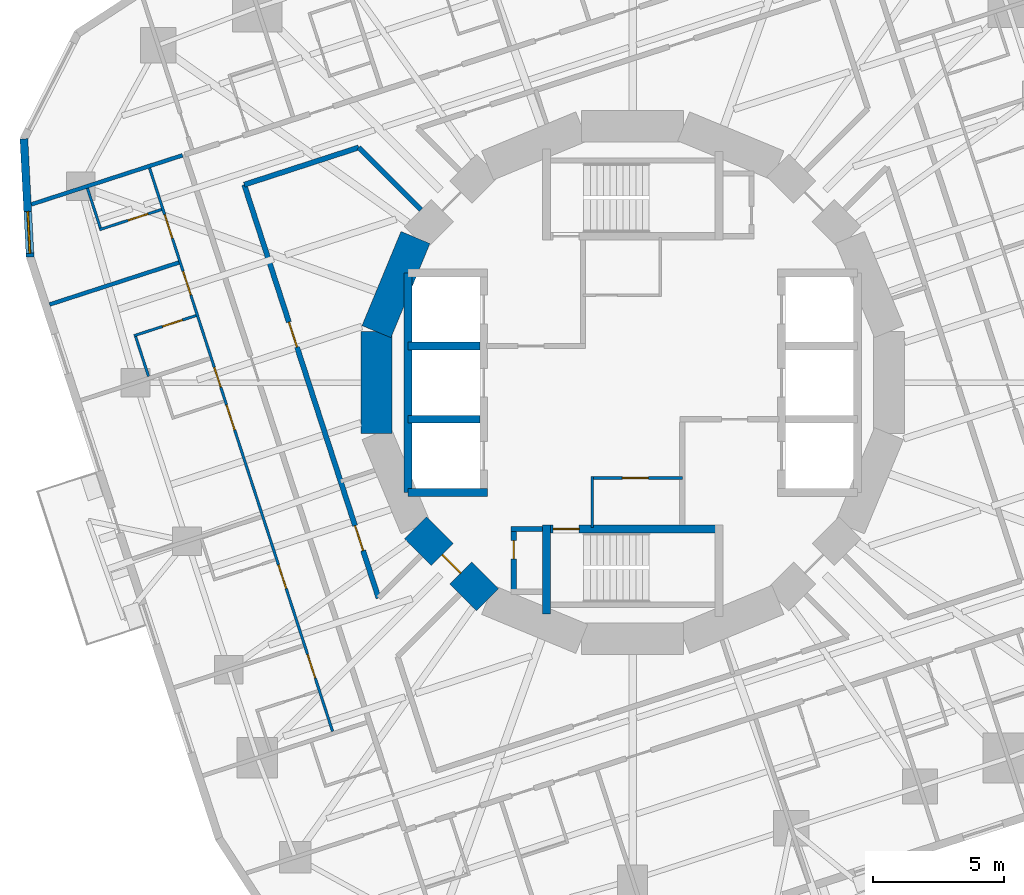
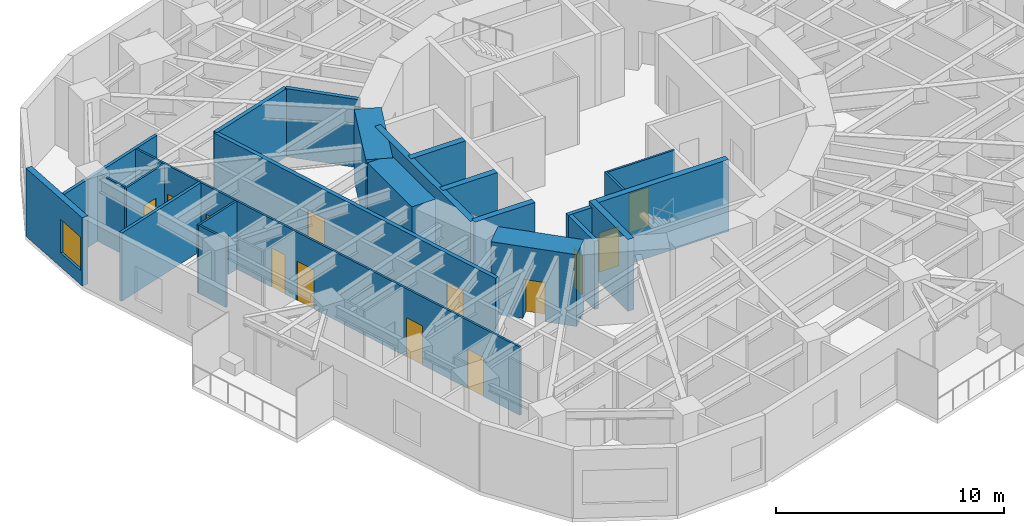
# One storey, part 6 of 12: 24 walls, 14 doors, 1 window, 15 openings.
"""IFC4 building model written with IfcOpenShell, lengths in metres."""

from ifc_helpers import new_model, si_unit, direction, frame, frame_2d, origin, place, context, subcontext, project, spatial, rectangle, extrude, material, layer, layer_set, type_object, element, fill, save


model = new_model("IFC4")

# Units and contexts
model_context = context("Model", 3, precision=1e-05, world=origin(), true_north=direction((0.0, 1.0)))
body_context = subcontext(model_context, "Body", "Model", "MODEL_VIEW")
ifc_project = project(units=[si_unit("LENGTHUNIT", "METRE"), si_unit("AREAUNIT", "SQUARE_METRE"), si_unit("VOLUMEUNIT", "CUBIC_METRE"), si_unit("PLANEANGLEUNIT", "RADIAN"), si_unit("MASSUNIT", "GRAM", prefix="KILO")], contexts=[model_context])

# Site, building, storey
site_placement = place(None, origin())
site = spatial("IfcSite", under=ifc_project, at=site_placement, CompositionType="ELEMENT")
building_placement = place(site_placement, origin())
building = spatial("IfcBuilding", under=site, at=building_placement, Name="Nakasero Lantern House", CompositionType="ELEMENT")
storey_placement = place(building_placement, frame((0.0, 0.0, 168.75)))
storey = spatial("IfcBuildingStorey", under=building, at=storey_placement, Name="L41", CompositionType="ELEMENT", Elevation=168.75)

# Wall, openings, doors
ifc_material_1 = material(Name="Blockwork", Category="masonry")
ifc_layer_1 = layer(ifc_material_1, 0.10009765625)
ifc_layer_set_1 = layer_set([ifc_layer_1], Name="Cluster hall wall 100")
wall_type_1 = type_object("IfcWallType", Name="Cluster hall wall 100", PredefinedType="PARTITIONING", material=ifc_layer_set_1)
wall_1_placement = place(storey_placement, frame((-18.492919921875, 8.21240234375, 0.0), z_axis=(0.0, 0.0, 1.0), x_axis=(0.309014729931, -0.951057252055, 0.0)))
wall_1 = element("IfcWall", 1, at=wall_1_placement, inside=storey, type_object=wall_type_1, Name="Cluster hall wall L41 HW2-0", PredefinedType="PARTITIONING", context=body_context, shape_type="SweptSolid", body=[
    extrude(rectangle(XDim=22.67236328125, YDim=0.10009765625, at=frame_2d((11.336181640625, 0.0))), origin(), (0.0, 0.0, 1.0), 3.64990234375),
])
opening_1_placement = place(wall_1_placement, frame((9.532958984375, 0.0, 0.0)))
opening_1 = element("IfcOpeningElement", 2, at=opening_1_placement, cuts=wall_1, Name="Opening D03", PredefinedType="OPENING", context=body_context, shape_type="SweptSolid", body=[
    extrude(rectangle(XDim=1.0, YDim=2.10009765625, at=frame_2d((0.5, 1.050048828125))), frame((0.0, 0.070068359375, 0.0), z_axis=(0.0, -1.0, 0.0), x_axis=(1.0, 0.0, 0.0)), (0.0, 0.0, 1.0), 0.14013671875),
])
opening_2_placement = place(wall_1_placement, frame((8.01904296875, 0.0, 0.0)))
opening_2 = element("IfcOpeningElement", 3, at=opening_2_placement, cuts=wall_1, Name="Opening D02", PredefinedType="OPENING", context=body_context, shape_type="SweptSolid", body=[
    extrude(rectangle(XDim=0.800048828125, YDim=2.10009765625, at=frame_2d((0.39990234375, 1.050048828125))), frame((0.0, 0.070068359375, 0.0), z_axis=(0.0, -1.0, 0.0), x_axis=(1.0, 0.0, 0.0)), (0.0, 0.0, 1.0), 0.14013671875),
])
opening_3_placement = place(wall_1_placement, frame((1.875, 0.0, 0.0)))
opening_3 = element("IfcOpeningElement", 4, at=opening_3_placement, cuts=wall_1, Name="Opening D01", PredefinedType="OPENING", context=body_context, shape_type="SweptSolid", body=[
    extrude(rectangle(XDim=0.949951171875, YDim=2.10009765625, at=frame_2d((0.47509765625, 1.050048828125))), frame((0.0, 0.070068359375, 0.0), z_axis=(0.0, -1.0, 0.0), x_axis=(1.0, 0.0, 0.0)), (0.0, 0.0, 1.0), 0.14013671875),
])
opening_4_placement = place(wall_1_placement, frame((4.159423828125, 0.0, 0.0)))
opening_4 = element("IfcOpeningElement", 5, at=opening_4_placement, cuts=wall_1, Name="Opening D01", PredefinedType="OPENING", context=body_context, shape_type="SweptSolid", body=[
    extrude(rectangle(XDim=0.949951171875, YDim=2.10009765625, at=frame_2d((0.47509765625, 1.050048828125))), frame((0.0, 0.070068359375, 0.0), z_axis=(0.0, -1.0, 0.0), x_axis=(1.0, 0.0, 0.0)), (0.0, 0.0, 1.0), 0.14013671875),
])
opening_5_placement = place(wall_1_placement, frame((15.97216796875, 0.0, 0.0)))
opening_5 = element("IfcOpeningElement", 6, at=opening_5_placement, cuts=wall_1, Name="Opening D01", PredefinedType="OPENING", context=body_context, shape_type="SweptSolid", body=[
    extrude(rectangle(XDim=0.949951171875, YDim=2.10009765625, at=frame_2d((0.47509765625, 1.050048828125))), frame((0.0, 0.070068359375, 0.0), z_axis=(0.0, -1.0, 0.0), x_axis=(1.0, 0.0, 0.0)), (0.0, 0.0, 1.0), 0.14013671875),
])
opening_6_placement = place(wall_1_placement, frame((19.578125, 0.0, 0.0)))
opening_6 = element("IfcOpeningElement", 7, at=opening_6_placement, cuts=wall_1, Name="Opening D01", PredefinedType="OPENING", context=body_context, shape_type="SweptSolid", body=[
    extrude(rectangle(XDim=0.949951171875, YDim=2.10009765625, at=frame_2d((0.47509765625, 1.050048828125))), frame((0.0, 0.070068359375, 0.0), z_axis=(0.0, -1.0, 0.0), x_axis=(1.0, 0.0, 0.0)), (0.0, 0.0, 1.0), 0.14013671875),
])
ifc_material_2 = material(Name="Timber C24", Category="wood")
door_type_1 = type_object("IfcDoorType", Name="Bedroom door FD30S 950", OperationType="SINGLE_SWING_LEFT", PredefinedType="DOOR", material=ifc_material_2)
door_1_placement = place(opening_3_placement, origin())
door_1 = element("IfcDoor", 8, at=door_1_placement, inside=storey, type_object=door_type_1, Name="Door L41 D2-00", OperationType="SINGLE_SWING_LEFT", OverallHeight=2.10009765625, OverallWidth=0.949951171875, PredefinedType="DOOR", context=body_context, shape_type="SweptSolid", body=[
    extrude(rectangle(XDim=0.949951171875, YDim=2.10009765625, at=frame_2d((0.47509765625, 1.050048828125))), frame((0.0, 0.02490234375, 0.0), z_axis=(0.0, -1.0, 0.0), x_axis=(1.0, 0.0, 0.0)), (0.0, 0.0, 1.0), 0.050048828125),
])
fill(opening_3, door_1)
door_2_placement = place(opening_4_placement, origin())
door_2 = element("IfcDoor", 9, at=door_2_placement, inside=storey, type_object=door_type_1, Name="Door L41 D2-01", OperationType="SINGLE_SWING_LEFT", OverallHeight=2.10009765625, OverallWidth=0.949951171875, PredefinedType="DOOR", context=body_context, shape_type="SweptSolid", body=[
    extrude(rectangle(XDim=0.949951171875, YDim=2.10009765625, at=frame_2d((0.47509765625, 1.050048828125))), frame((0.0, 0.02490234375, 0.0), z_axis=(0.0, -1.0, 0.0), x_axis=(1.0, 0.0, 0.0)), (0.0, 0.0, 1.0), 0.050048828125),
])
fill(opening_4, door_2)
door_3_placement = place(opening_5_placement, origin())
door_3 = element("IfcDoor", 10, at=door_3_placement, inside=storey, type_object=door_type_1, Name="Door L41 D2-04", OperationType="SINGLE_SWING_RIGHT", OverallHeight=2.10009765625, OverallWidth=0.949951171875, PredefinedType="DOOR", context=body_context, shape_type="SweptSolid", body=[
    extrude(rectangle(XDim=0.949951171875, YDim=2.10009765625, at=frame_2d((0.47509765625, 1.050048828125))), frame((0.0, 0.02490234375, 0.0), z_axis=(0.0, -1.0, 0.0), x_axis=(1.0, 0.0, 0.0)), (0.0, 0.0, 1.0), 0.050048828125),
])
fill(opening_5, door_3)
door_4_placement = place(opening_6_placement, origin())
door_4 = element("IfcDoor", 11, at=door_4_placement, inside=storey, type_object=door_type_1, Name="Door L41 D2-05", OperationType="SINGLE_SWING_RIGHT", OverallHeight=2.10009765625, OverallWidth=0.949951171875, PredefinedType="DOOR", context=body_context, shape_type="SweptSolid", body=[
    extrude(rectangle(XDim=0.949951171875, YDim=2.10009765625, at=frame_2d((0.47509765625, 1.050048828125))), frame((0.0, 0.02490234375, 0.0), z_axis=(0.0, -1.0, 0.0), x_axis=(1.0, 0.0, 0.0)), (0.0, 0.0, 1.0), 0.050048828125),
])
fill(opening_6, door_4)
ifc_material_3 = material(Name="Timber C24", Category="wood")
door_type_2 = type_object("IfcDoorType", Name="En-suite door 800", OperationType="SINGLE_SWING_RIGHT", PredefinedType="DOOR", material=ifc_material_3)
door_5_placement = place(opening_2_placement, origin())
door_5 = element("IfcDoor", 12, at=door_5_placement, inside=storey, type_object=door_type_2, Name="Door L41 DSH2-0", OperationType="SINGLE_SWING_LEFT", OverallHeight=2.10009765625, OverallWidth=0.800048828125, PredefinedType="DOOR", context=body_context, shape_type="SweptSolid", body=[
    extrude(rectangle(XDim=0.800048828125, YDim=2.10009765625, at=frame_2d((0.39990234375, 1.050048828125))), frame((0.0, 0.02490234375, 0.0), z_axis=(0.0, -1.0, 0.0), x_axis=(1.0, 0.0, 0.0)), (0.0, 0.0, 1.0), 0.050048828125),
])
fill(opening_2, door_5)
ifc_material_4 = material(Name="Timber C24", Category="wood")
door_type_3 = type_object("IfcDoorType", Name="Lounge door FD30S 1000", OperationType="SINGLE_SWING_LEFT", PredefinedType="DOOR", material=ifc_material_4)
door_6_placement = place(opening_1_placement, origin())
door_6 = element("IfcDoor", 13, at=door_6_placement, inside=storey, type_object=door_type_3, Name="Door L41 DH2-0", OperationType="SINGLE_SWING_LEFT", OverallHeight=2.10009765625, OverallWidth=1.0, PredefinedType="DOOR", context=body_context, shape_type="SweptSolid", body=[
    extrude(rectangle(XDim=1.0, YDim=2.10009765625, at=frame_2d((0.5, 1.050048828125))), frame((0.0, 0.02490234375, 0.0), z_axis=(0.0, -1.0, 0.0), x_axis=(1.0, 0.0, 0.0)), (0.0, 0.0, 1.0), 0.050048828125),
])
fill(opening_1, door_6)

# Walls
ifc_material_5 = material(Name="Concrete C50/60", Category="concrete")
ifc_layer_2 = layer(ifc_material_5, 0.300048828125)
ifc_layer_set_2 = layer_set([ifc_layer_2], Name="Core inner wall 300")
wall_type_2 = type_object("IfcWallType", Name="Core inner wall 300", PredefinedType="SHEAR", material=ifc_layer_set_2)
wall_2_placement = place(storey_placement, frame((-8.60009765625, -4.199951171875, 0.0), z_axis=(0.0, 0.0, 1.0), x_axis=(1.0, 0.0, 0.0)))
element("IfcWall", 14, at=wall_2_placement, inside=storey, type_object=wall_type_2, Name="Core inner wall L41 LWS", PredefinedType="SHEAR", context=body_context, shape_type="SweptSolid", body=[
    extrude(rectangle(XDim=3.050048828125, YDim=0.300048828125, at=frame_2d((1.52490234375, 0.0))), origin(), (0.0, 0.0, 1.0), 3.85009765625),
])
wall_3_placement = place(storey_placement, frame((-8.60009765625, -4.199951171875, 0.0), z_axis=(0.0, 0.0, 1.0), x_axis=(0.0, 1.0, 0.0)))
element("IfcWall", 15, at=wall_3_placement, inside=storey, type_object=wall_type_2, Name="Core inner wall L41 LWB", PredefinedType="SHEAR", context=body_context, shape_type="SweptSolid", body=[
    extrude(rectangle(XDim=8.39990234375, YDim=0.300048828125, at=frame_2d((4.199951171875, 0.0))), origin(), (0.0, 0.0, 1.0), 3.85009765625),
])
for number, where, z_axis, x_axis, name in (
    (16, (-8.60009765625, -1.39990234375, 0.0), (0.0, 0.0, 1.0), (1.0, 0.0, 0.0), "Core inner wall L41 LW1"),
    (17, (-8.60009765625, 1.39990234375, 0.0), (0.0, 0.0, 1.0), (1.0, 0.0, 0.0), "Core inner wall L41 LW2"),
):
    element("IfcWall", number, at=place(storey_placement, frame(where, z_axis=z_axis, x_axis=x_axis)), inside=storey, type_object=wall_type_2, Name=name, PredefinedType="SHEAR", context=body_context, shape_type="SweptSolid", body=[
        extrude(rectangle(XDim=2.75, YDim=0.300048828125, at=frame_2d((1.375, 0.0))), origin(), (0.0, 0.0, 1.0), 3.85009765625),
    ])

# Wall, opening, door
wall_4_placement = place(storey_placement, frame((-3.449951171875, -5.60009765625, 0.0), z_axis=(0.0, 0.0, 1.0), x_axis=(1.0, 0.0, 0.0)))
wall_4 = element("IfcWall", 18, at=wall_4_placement, inside=storey, type_object=wall_type_2, Name="Core inner wall L41 SS", PredefinedType="SHEAR", context=body_context, shape_type="SweptSolid", body=[
    extrude(rectangle(XDim=6.89990234375, YDim=0.300048828125, at=frame_2d((3.449951171875, 0.0))), origin(), (0.0, 0.0, 1.0), 3.85009765625),
])
opening_7_placement = place(wall_4_placement, frame((0.39990234375, 0.0, 0.0)))
opening_7 = element("IfcOpeningElement", 19, at=opening_7_placement, cuts=wall_4, Name="Opening D05", PredefinedType="OPENING", context=body_context, shape_type="SweptSolid", body=[
    extrude(rectangle(XDim=1.0, YDim=2.10009765625, at=frame_2d((0.5, 1.050048828125))), frame((0.0, 0.169921875, 0.0), z_axis=(0.0, -1.0, 0.0), x_axis=(1.0, 0.0, 0.0)), (0.0, 0.0, 1.0), 0.340087890625),
])
ifc_material_6 = material(Name="Timber C24", Category="wood")
door_type_4 = type_object("IfcDoorType", Name="Core door FD60S 1000", OperationType="SINGLE_SWING_LEFT", PredefinedType="DOOR", material=ifc_material_6)
door_7_placement = place(opening_7_placement, origin())
door_7 = element("IfcDoor", 20, at=door_7_placement, inside=storey, type_object=door_type_4, Name="Door L41 D-ST2", OperationType="SINGLE_SWING_LEFT", OverallHeight=2.10009765625, OverallWidth=1.0, PredefinedType="DOOR", context=body_context, shape_type="SweptSolid", body=[
    extrude(rectangle(XDim=1.0, YDim=2.10009765625, at=frame_2d((0.5, 1.050048828125))), frame((0.0, 0.02490234375, 0.0), z_axis=(0.0, -1.0, 0.0), x_axis=(1.0, 0.0, 0.0)), (0.0, 0.0, 1.0), 0.050048828125),
])
fill(opening_7, door_7)

# Wall
wall_5_placement = place(storey_placement, frame((-3.300048828125, -5.449951171875, 0.0), z_axis=(0.0, 0.0, 1.0), x_axis=(0.0, -1.0, 0.0)))
element("IfcWall", 21, at=wall_5_placement, inside=storey, type_object=wall_type_2, Name="Core inner wall L41 SSW", PredefinedType="SHEAR", context=body_context, shape_type="SweptSolid", body=[
    extrude(rectangle(XDim=3.400146484375, YDim=0.300048828125, at=frame_2d((1.7001953125, 0.0))), origin(), (0.0, 0.0, 1.0), 3.85009765625),
])

# Wall, opening, door
ifc_material_7 = material(Name="Blockwork", Category="masonry")
ifc_layer_3 = layer(ifc_material_7, 0.10009765625)
ifc_layer_set_3 = layer_set([ifc_layer_3], Name="Core room wall 100")
wall_type_3 = type_object("IfcWallType", Name="Core room wall 100", PredefinedType="PARTITIONING", material=ifc_layer_set_3)
wall_6_placement = place(storey_placement, frame((-1.60009765625, -3.64990234375, 0.0), z_axis=(0.0, 0.0, 1.0), x_axis=(1.0, 0.0, 0.0)))
wall_6 = element("IfcWall", 22, at=wall_6_placement, inside=storey, type_object=wall_type_3, Name="Core room wall L41 CR-SWN", PredefinedType="PARTITIONING", context=body_context, shape_type="SweptSolid", body=[
    extrude(rectangle(XDim=3.5, YDim=0.10009765625, at=frame_2d((1.75, 0.0))), origin(), (0.0, 0.0, 1.0), 3.64990234375),
])
opening_8_placement = place(wall_6_placement, frame((1.199951171875, 0.0, 0.0)))
opening_8 = element("IfcOpeningElement", 23, at=opening_8_placement, cuts=wall_6, Name="Opening D07", PredefinedType="OPENING", context=body_context, shape_type="SweptSolid", body=[
    extrude(rectangle(XDim=1.0, YDim=2.10009765625, at=frame_2d((0.5, 1.050048828125))), frame((0.0, 0.070068359375, 0.0), z_axis=(0.0, -1.0, 0.0), x_axis=(1.0, 0.0, 0.0)), (0.0, 0.0, 1.0), 0.14013671875),
])
ifc_material_8 = material(Name="Timber C24", Category="wood")
door_type_5 = type_object("IfcDoorType", Name="Room door FD30S 1000", OperationType="SINGLE_SWING_LEFT", PredefinedType="DOOR", material=ifc_material_8)
door_8_placement = place(opening_8_placement, origin())
door_8 = element("IfcDoor", 24, at=door_8_placement, inside=storey, type_object=door_type_5, Name="Door L41 D-CR-SW", OperationType="SINGLE_SWING_LEFT", OverallHeight=2.10009765625, OverallWidth=1.0, PredefinedType="DOOR", context=body_context, shape_type="SweptSolid", body=[
    extrude(rectangle(XDim=1.0, YDim=2.10009765625, at=frame_2d((0.5, 1.050048828125))), frame((0.0, 0.02490234375, 0.0), z_axis=(0.0, -1.0, 0.0), x_axis=(1.0, 0.0, 0.0)), (0.0, 0.0, 1.0), 0.050048828125),
])
fill(opening_8, door_8)

# Walls
wall_7_placement = place(storey_placement, frame((-1.550048828125, -5.550048828125, 0.0), z_axis=(0.0, 0.0, 1.0), x_axis=(0.0, 1.0, 0.0)))
element("IfcWall", 25, at=wall_7_placement, inside=storey, type_object=wall_type_3, Name="Core room wall L41 CR-SWW", PredefinedType="PARTITIONING", context=body_context, shape_type="SweptSolid", body=[
    extrude(rectangle(XDim=1.949951171875, YDim=0.10009765625, at=frame_2d((0.97509765625, 0.0))), origin(), (0.0, 0.0, 1.0), 3.64990234375),
])
ifc_material_9 = material(Name="Concrete C50/60", Category="concrete")
ifc_layer_4 = layer(ifc_material_9, 1.199951171875)
ifc_layer_set_4 = layer_set([ifc_layer_4], Name="Core wall 1200")
wall_type_4 = type_object("IfcWallType", Name="Core wall 1200", PredefinedType="SHEAR", material=ifc_layer_set_4)
for number, where, z_axis, x_axis, name in (
    (26, (-8.314697265625, 5.5556640625, 0.0), (0.0, 0.0, 1.0), (-0.382690736062, -0.923876507187, 0.0), "Core wall L41 facet 7"),
    (27, (-9.807861328125, 1.950927734375, 0.0), (0.0, 0.0, 1.0), (0.0, -1.0, 0.0), "Core wall L41 facet 8"),
):
    element("IfcWall", number, at=place(storey_placement, frame(where, z_axis=z_axis, x_axis=x_axis)), inside=storey, type_object=wall_type_4, Name=name, PredefinedType="SHEAR", context=body_context, shape_type="SweptSolid", body=[
        extrude(rectangle(XDim=3.90185546875, YDim=1.199951171875, at=frame_2d((1.950927734375, 0.0))), origin(), (0.0, 0.0, 1.0), 3.85009765625),
    ])

# Wall, opening, door
wall_8_placement = place(storey_placement, frame((-8.314697265625, -5.5556640625, 0.0), z_axis=(0.0, 0.0, 1.0), x_axis=(0.707106781187, -0.707106781187, 0.0)))
wall_8 = element("IfcWall", 28, at=wall_8_placement, inside=storey, type_object=wall_type_4, Name="Core wall L41 facet 10", PredefinedType="SHEAR", context=body_context, shape_type="SweptSolid", body=[
    extrude(rectangle(XDim=3.90185546875, YDim=1.199951171875, at=frame_2d((1.950927734375, 0.0))), origin(), (0.0, 0.0, 1.0), 3.85009765625),
])
opening_9_placement = place(wall_8_placement, frame((1.450927734375, 0.0, 0.0)))
opening_9 = element("IfcOpeningElement", 29, at=opening_9_placement, cuts=wall_8, Name="Opening D05", PredefinedType="OPENING", context=body_context, shape_type="SweptSolid", body=[
    extrude(rectangle(XDim=1.0, YDim=2.10009765625, at=frame_2d((0.5, 1.050048828125))), frame((0.0, 0.619873046875, 0.0), z_axis=(0.0, -1.0, 0.0), x_axis=(1.0, 0.0, 0.0)), (0.0, 0.0, 1.0), 1.239990234375),
])
door_9_placement = place(opening_9_placement, origin())
door_9 = element("IfcDoor", 30, at=door_9_placement, inside=storey, type_object=door_type_4, Name="Door L41 D-CORE10", OperationType="SINGLE_SWING_LEFT", OverallHeight=2.10009765625, OverallWidth=1.0, PredefinedType="DOOR", context=body_context, shape_type="SweptSolid", body=[
    extrude(rectangle(XDim=1.0, YDim=2.10009765625, at=frame_2d((0.5, 1.050048828125))), frame((0.0, 0.02490234375, 0.0), z_axis=(0.0, -1.0, 0.0), x_axis=(1.0, 0.0, 0.0)), (0.0, 0.0, 1.0), 0.050048828125),
])
fill(opening_9, door_9)

# Wall
ifc_material_10 = material(Name="Blockwork", Category="masonry")
ifc_layer_5 = layer(ifc_material_10, 0.199951171875)
ifc_layer_set_5 = layer_set([ifc_layer_5], Name="Corridor wall 200")
wall_type_5 = type_object("IfcWallType", Name="Corridor wall 200", PredefinedType="PARTITIONING", material=ifc_layer_set_5)
wall_9_placement = place(storey_placement, frame((-10.4853515625, 9.00048828125, 0.0), z_axis=(0.0, 0.0, 1.0), x_axis=(-0.951055475561, -0.309020197406, 0.0)))
element("IfcWall", 31, at=wall_9_placement, inside=storey, type_object=wall_type_5, Name="Corridor wall L41 IW1-1", PredefinedType="PARTITIONING", context=body_context, shape_type="SweptSolid", body=[
    extrude(rectangle(XDim=4.609130859375, YDim=0.199951171875, at=frame_2d((2.3046875, 0.0))), origin(), (0.0, 0.0, 1.0), 3.64990234375),
])

# Wall, openings, doors
wall_10_placement = place(storey_placement, frame((-14.868896484375, 7.576171875, 0.0), z_axis=(0.0, 0.0, 1.0), x_axis=(0.309015049795, -0.951057148125, 0.0)))
wall_10 = element("IfcWall", 32, at=wall_10_placement, inside=storey, type_object=wall_type_5, Name="Corridor wall L41 IW2-0", PredefinedType="PARTITIONING", context=body_context, shape_type="SweptSolid", body=[
    extrude(rectangle(XDim=16.634033203125, YDim=0.199951171875, at=frame_2d((8.31689453125, 0.0))), origin(), (0.0, 0.0, 1.0), 3.64990234375),
])
opening_10_placement = place(wall_10_placement, frame((13.724365234375, 0.0, 0.0)))
opening_10 = element("IfcOpeningElement", 33, at=opening_10_placement, cuts=wall_10, Name="Opening D07", PredefinedType="OPENING", context=body_context, shape_type="SweptSolid", body=[
    extrude(rectangle(XDim=1.0, YDim=2.10009765625, at=frame_2d((0.5, 1.050048828125))), frame((0.0, 0.119873046875, 0.0), z_axis=(0.0, -1.0, 0.0), x_axis=(1.0, 0.0, 0.0)), (0.0, 0.0, 1.0), 0.239990234375),
])
opening_11_placement = place(wall_10_placement, frame((5.532470703125, 0.0, 0.0)))
opening_11 = element("IfcOpeningElement", 34, at=opening_11_placement, cuts=wall_10, Name="Opening D07", PredefinedType="OPENING", context=body_context, shape_type="SweptSolid", body=[
    extrude(rectangle(XDim=1.0, YDim=2.10009765625, at=frame_2d((0.5, 1.050048828125))), frame((0.0, 0.119873046875, 0.0), z_axis=(0.0, -1.0, 0.0), x_axis=(1.0, 0.0, 0.0)), (0.0, 0.0, 1.0), 0.239990234375),
])
door_10_placement = place(opening_10_placement, origin())
door_10 = element("IfcDoor", 35, at=door_10_placement, inside=storey, type_object=door_type_5, Name="Door L41 DI1", OperationType="SINGLE_SWING_RIGHT", OverallHeight=2.10009765625, OverallWidth=1.0, PredefinedType="DOOR", context=body_context, shape_type="SweptSolid", body=[
    extrude(rectangle(XDim=1.0, YDim=2.10009765625, at=frame_2d((0.5, 1.050048828125))), frame((0.0, 0.02490234375, 0.0), z_axis=(0.0, -1.0, 0.0), x_axis=(1.0, 0.0, 0.0)), (0.0, 0.0, 1.0), 0.050048828125),
])
fill(opening_10, door_10)
door_11_placement = place(opening_11_placement, origin())
door_11 = element("IfcDoor", 36, at=door_11_placement, inside=storey, type_object=door_type_5, Name="Door L41 DI7", OperationType="SINGLE_SWING_LEFT", OverallHeight=2.10009765625, OverallWidth=1.0, PredefinedType="DOOR", context=body_context, shape_type="SweptSolid", body=[
    extrude(rectangle(XDim=1.0, YDim=2.10009765625, at=frame_2d((0.5, 1.050048828125))), frame((0.0, 0.02490234375, 0.0), z_axis=(0.0, -1.0, 0.0), x_axis=(1.0, 0.0, 0.0)), (0.0, 0.0, 1.0), 0.050048828125),
])
fill(opening_11, door_11)

# Wall
wall_11_placement = place(storey_placement, frame((-8.101806640625, 6.616943359375, 0.0), z_axis=(0.0, 0.0, 1.0), x_axis=(-0.707106781187, 0.707106781187, 0.0)))
element("IfcWall", 37, at=wall_11_placement, inside=storey, type_object=wall_type_5, Name="Corridor wall L41 PS06a", PredefinedType="PARTITIONING", context=body_context, shape_type="SweptSolid", body=[
    extrude(rectangle(XDim=3.370849609375, YDim=0.199951171875, at=frame_2d((1.685546875, 0.0))), origin(), (0.0, 0.0, 1.0), 3.64990234375),
])

# Wall, opening, door
ifc_material_11 = material(Name="Blockwork", Category="masonry")
ifc_layer_6 = layer(ifc_material_11, 0.10009765625)
ifc_layer_set_6 = layer_set([ifc_layer_6], Name="En-suite wall 100")
wall_type_6 = type_object("IfcWallType", Name="En-suite wall 100", PredefinedType="PARTITIONING", material=ifc_layer_set_6)
wall_12_placement = place(storey_placement, frame((-18.030517578125, 6.627685546875, 0.0), z_axis=(0.0, 0.0, 1.0), x_axis=(-0.951039092003, -0.309070615688, 0.0)))
wall_12 = element("IfcWall", 38, at=wall_12_placement, inside=storey, type_object=wall_type_6, Name="En-suite wall L41 ES2-00", PredefinedType="PARTITIONING", context=body_context, shape_type="SweptSolid", body=[
    extrude(rectangle(XDim=2.5, YDim=0.10009765625, at=frame_2d((1.25, 0.0))), origin(), (0.0, 0.0, 1.0), 3.64990234375),
])
opening_12_placement = place(wall_12_placement, frame((0.550048828125, 0.0, 0.0)))
opening_12 = element("IfcOpeningElement", 39, at=opening_12_placement, cuts=wall_12, Name="Opening D02", PredefinedType="OPENING", context=body_context, shape_type="SweptSolid", body=[
    extrude(rectangle(XDim=0.800048828125, YDim=2.10009765625, at=frame_2d((0.39990234375, 1.050048828125))), frame((0.0, 0.070068359375, 0.0), z_axis=(0.0, -1.0, 0.0), x_axis=(1.0, 0.0, 0.0)), (0.0, 0.0, 1.0), 0.14013671875),
])
door_12_placement = place(opening_12_placement, origin())
door_12 = element("IfcDoor", 40, at=door_12_placement, inside=storey, type_object=door_type_2, Name="Door L41 DE2-00", OperationType="SINGLE_SWING_LEFT", OverallHeight=2.10009765625, OverallWidth=0.800048828125, PredefinedType="DOOR", context=body_context, shape_type="SweptSolid", body=[
    extrude(rectangle(XDim=0.800048828125, YDim=2.10009765625, at=frame_2d((0.39990234375, 1.050048828125))), frame((0.0, 0.02490234375, 0.0), z_axis=(0.0, -1.0, 0.0), x_axis=(1.0, 0.0, 0.0)), (0.0, 0.0, 1.0), 0.050048828125),
])
fill(opening_12, door_12)

# Wall
wall_13_placement = place(storey_placement, frame((-20.87060546875, 7.439697265625, 0.0), z_axis=(0.0, 0.0, 1.0), x_axis=(0.309168884398, -0.951007150825, 0.0)))
element("IfcWall", 41, at=wall_13_placement, inside=storey, type_object=wall_type_6, Name="En-suite wall L41 EE2-00", PredefinedType="PARTITIONING", context=body_context, shape_type="SweptSolid", body=[
    extrude(rectangle(XDim=1.599853515625, YDim=0.10009765625, at=frame_2d((0.7998046875, 0.0))), origin(), (0.0, 0.0, 1.0), 3.64990234375),
])

# Wall, opening, door
wall_14_placement = place(storey_placement, frame((-16.71142578125, 2.567626953125, 0.0), z_axis=(0.0, 0.0, 1.0), x_axis=(-0.951067792613, -0.308982287281, 0.0)))
wall_14 = element("IfcWall", 42, at=wall_14_placement, inside=storey, type_object=wall_type_6, Name="En-suite wall L41 ES2-01", PredefinedType="PARTITIONING", context=body_context, shape_type="SweptSolid", body=[
    extrude(rectangle(XDim=2.5, YDim=0.10009765625, at=frame_2d((1.25, 0.0))), origin(), (0.0, 0.0, 1.0), 3.64990234375),
])
opening_13_placement = place(wall_14_placement, frame((0.550048828125, 0.0, 0.0)))
opening_13 = element("IfcOpeningElement", 43, at=opening_13_placement, cuts=wall_14, Name="Opening D02", PredefinedType="OPENING", context=body_context, shape_type="SweptSolid", body=[
    extrude(rectangle(XDim=0.800048828125, YDim=2.10009765625, at=frame_2d((0.39990234375, 1.050048828125))), frame((0.0, 0.070068359375, 0.0), z_axis=(0.0, -1.0, 0.0), x_axis=(1.0, 0.0, 0.0)), (0.0, 0.0, 1.0), 0.14013671875),
])
door_13_placement = place(opening_13_placement, origin())
door_13 = element("IfcDoor", 44, at=door_13_placement, inside=storey, type_object=door_type_2, Name="Door L41 DE2-01", OperationType="SINGLE_SWING_LEFT", OverallHeight=2.10009765625, OverallWidth=0.800048828125, PredefinedType="DOOR", context=body_context, shape_type="SweptSolid", body=[
    extrude(rectangle(XDim=0.800048828125, YDim=2.10009765625, at=frame_2d((0.39990234375, 1.050048828125))), frame((0.0, 0.02490234375, 0.0), z_axis=(0.0, -1.0, 0.0), x_axis=(1.0, 0.0, 0.0)), (0.0, 0.0, 1.0), 0.050048828125),
])
fill(opening_13, door_13)

# Wall
wall_15_placement = place(storey_placement, frame((-19.02587890625, 1.762939453125, 0.0), z_axis=(0.0, 0.0, 1.0), x_axis=(0.308986014439, -0.951066581729, 0.0)))
element("IfcWall", 45, at=wall_15_placement, inside=storey, type_object=wall_type_6, Name="En-suite wall L41 EE2-01", PredefinedType="PARTITIONING", context=body_context, shape_type="SweptSolid", body=[
    extrude(rectangle(XDim=1.60009765625, YDim=0.10009765625, at=frame_2d((0.800048828125, 0.0))), origin(), (0.0, 0.0, 1.0), 3.64990234375),
])

# Wall, opening, window
ifc_material_12 = material(Name="Aluminium rainscreen on blockwork", Category="masonry")
ifc_layer_7 = layer(ifc_material_12, 0.300048828125)
ifc_layer_set_7 = layer_set([ifc_layer_7], Name="Facade wall 300")
wall_type_7 = type_object("IfcWallType", Name="Facade wall 300", PredefinedType="SOLIDWALL", material=ifc_layer_set_7)
wall_16_placement = place(storey_placement, frame((-23.3017578125, 9.3310546875, 0.0), z_axis=(0.0, 0.0, 1.0), x_axis=(0.052338164079, -0.998629419044, 0.0)))
wall_16 = element("IfcWall", 46, at=wall_16_placement, inside=storey, type_object=wall_type_7, Name="Facade wall L41 FW1C3", PredefinedType="SOLIDWALL", context=body_context, shape_type="SweptSolid", body=[
    extrude(rectangle(XDim=4.529296875, YDim=0.300048828125, at=frame_2d((2.2646484375, 0.0))), origin(), (0.0, 0.0, 1.0), 3.64990234375),
])
opening_14_placement = place(wall_16_placement, frame((2.784912109375, 0.0, 0.75)))
opening_14 = element("IfcOpeningElement", 47, at=opening_14_placement, cuts=wall_16, Name="Opening W01", PredefinedType="OPENING", context=body_context, shape_type="SweptSolid", body=[
    extrude(rectangle(XDim=1.60009765625, YDim=1.800048828125, at=frame_2d((0.800048828125, 0.89990234375))), frame((0.0, 0.169921875, 0.0), z_axis=(0.0, -1.0, 0.0), x_axis=(1.0, 0.0, 0.0)), (0.0, 0.0, 1.0), 0.340087890625),
])
ifc_material_13 = material(Name="Aluminium 6063-T6 and glass", Category="aluminium")
window_type = type_object("IfcWindowType", Name="Bedroom window 1600x1800", PartitioningType="SINGLE_PANEL", PredefinedType="WINDOW", material=ifc_material_13)
window_placement = place(opening_14_placement, origin())
window = element("IfcWindow", 48, at=window_placement, inside=storey, type_object=window_type, Name="Window L41 WN2-00", OverallHeight=1.800048828125, OverallWidth=1.60009765625, PartitioningType="SINGLE_PANEL", PredefinedType="WINDOW", context=body_context, shape_type="SweptSolid", body=[
    extrude(rectangle(XDim=1.60009765625, YDim=1.800048828125, at=frame_2d((0.800048828125, 0.89990234375))), frame((0.0, 0.030029296875, 0.0), z_axis=(0.0, -1.0, 0.0), x_axis=(1.0, 0.0, 0.0)), (0.0, 0.0, 1.0), 0.06005859375),
])
fill(opening_14, window)

# Wall, opening, door
ifc_material_14 = material(Name="Blockwork", Category="masonry")
ifc_layer_8 = layer(ifc_material_14, 0.199951171875)
ifc_layer_set_8 = layer_set([ifc_layer_8], Name="Fire lobby wall 200")
wall_type_8 = type_object("IfcWallType", Name="Fire lobby wall 200", PredefinedType="PARTITIONING", material=ifc_layer_set_8)
wall_17_placement = place(storey_placement, frame((-4.550048828125, -5.60009765625, 0.0), z_axis=(0.0, 0.0, 1.0), x_axis=(0.0, -1.0, 0.0)))
wall_17 = element("IfcWall", 49, at=wall_17_placement, inside=storey, type_object=wall_type_8, Name="Fire lobby wall L41 W-RS2W", PredefinedType="PARTITIONING", context=body_context, shape_type="SweptSolid", body=[
    extrude(rectangle(XDim=2.39990234375, YDim=0.199951171875, at=frame_2d((1.199951171875, 0.0))), origin(), (0.0, 0.0, 1.0), 3.64990234375),
])
opening_15_placement = place(wall_17_placement, frame((0.449951171875, 0.0, 0.0)))
opening_15 = element("IfcOpeningElement", 50, at=opening_15_placement, cuts=wall_17, Name="Opening D06", PredefinedType="OPENING", context=body_context, shape_type="SweptSolid", body=[
    extrude(rectangle(XDim=0.699951171875, YDim=2.10009765625, at=frame_2d((0.35009765625, 1.050048828125))), frame((0.0, 0.119873046875, 0.0), z_axis=(0.0, -1.0, 0.0), x_axis=(1.0, 0.0, 0.0)), (0.0, 0.0, 1.0), 0.239990234375),
])
ifc_material_15 = material(Name="Steel S355", Category="steel")
door_type_6 = type_object("IfcDoorType", Name="Riser door FD60 700", OperationType="SINGLE_SWING_LEFT", PredefinedType="DOOR", material=ifc_material_15)
door_14_placement = place(opening_15_placement, origin())
door_14 = element("IfcDoor", 51, at=door_14_placement, inside=storey, type_object=door_type_6, Name="Door L41 D-RS2", OperationType="SINGLE_SWING_LEFT", OverallHeight=2.10009765625, OverallWidth=0.699951171875, PredefinedType="DOOR", context=body_context, shape_type="SweptSolid", body=[
    extrude(rectangle(XDim=0.699951171875, YDim=2.10009765625, at=frame_2d((0.35009765625, 1.050048828125))), frame((0.0, 0.02490234375, 0.0), z_axis=(0.0, -1.0, 0.0), x_axis=(1.0, 0.0, 0.0)), (0.0, 0.0, 1.0), 0.050048828125),
])
fill(opening_15, door_14)

# Walls
wall_18_placement = place(storey_placement, frame((-3.449951171875, -5.60009765625, 0.0), z_axis=(0.0, 0.0, 1.0), x_axis=(-1.0, 0.0, 0.0)))
element("IfcWall", 52, at=wall_18_placement, inside=storey, type_object=wall_type_8, Name="Fire lobby wall L41 W-RS2N", PredefinedType="PARTITIONING", context=body_context, shape_type="SweptSolid", body=[
    extrude(rectangle(XDim=1.199951171875, YDim=0.199951171875, at=frame_2d((0.60009765625, 0.0))), origin(), (0.0, 0.0, 1.0), 3.64990234375),
])
ifc_material_16 = material(Name="Blockwork", Category="masonry")
ifc_layer_9 = layer(ifc_material_16, 0.14990234375)
ifc_layer_set_9 = layer_set([ifc_layer_9], Name="Party wall 150")
wall_type_9 = type_object("IfcWallType", Name="Party wall 150", PredefinedType="PARTITIONING", material=ifc_layer_set_9)
wall_19_placement = place(storey_placement, frame((-17.232177734375, 8.700927734375, 0.0), z_axis=(0.0, 0.0, 1.0), x_axis=(-0.951057081836, -0.309015253813, 0.0)))
element("IfcWall", 53, at=wall_19_placement, inside=storey, type_object=wall_type_9, Name="Party wall L41 PW2-00", PredefinedType="PARTITIONING", context=body_context, shape_type="SweptSolid", body=[
    extrude(rectangle(XDim=6.080322265625, YDim=0.14990234375, at=frame_2d((3.0400390625, 0.0))), origin(), (0.0, 0.0, 1.0), 3.64990234375),
])
wall_20_placement = place(storey_placement, frame((-17.370849609375, 4.59765625, 0.0), z_axis=(0.0, 0.0, 1.0), x_axis=(-0.951055112834, -0.309021313752, 0.0)))
element("IfcWall", 54, at=wall_20_placement, inside=storey, type_object=wall_type_9, Name="Party wall L41 PW2-01", PredefinedType="PARTITIONING", context=body_context, shape_type="SweptSolid", body=[
    extrude(rectangle(XDim=5.2001953125, YDim=0.14990234375, at=frame_2d((2.60009765625, 0.0))), origin(), (0.0, 0.0, 1.0), 3.64990234375),
])

save(model, "model.ifc")
